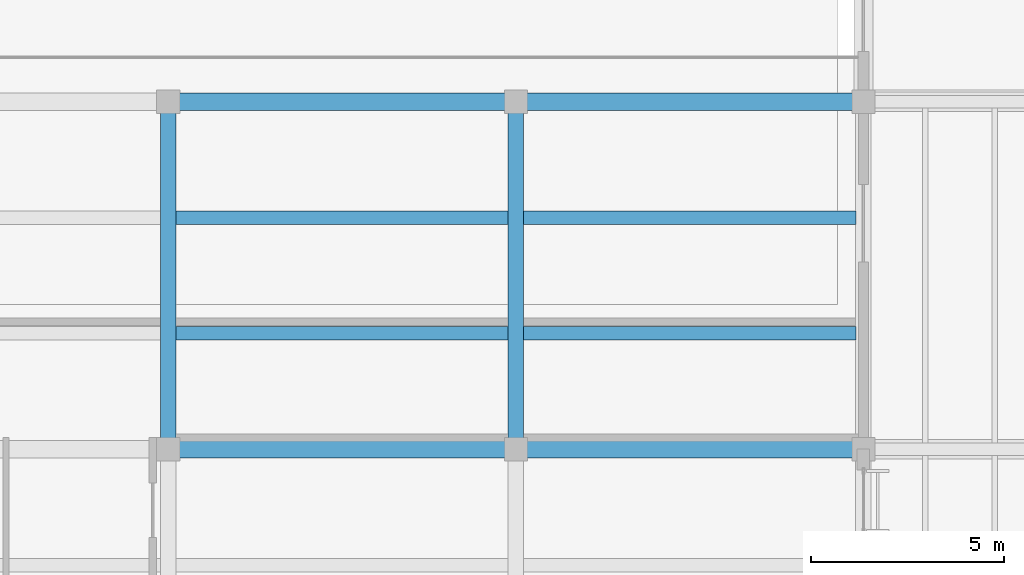
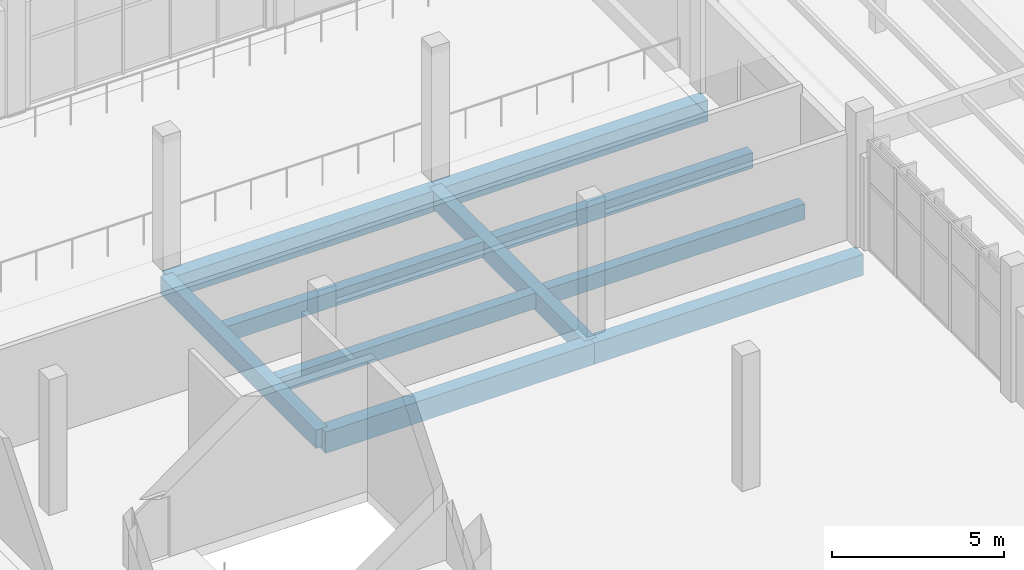
# One storey, part 89 of 151: 10 beams.
"""IFC4 building model written with IfcOpenShell, lengths in metres."""

from ifc_helpers import new_model, si_unit, direction, frame, origin, origin_2d, place, context, subcontext, project, spatial, rectangle, extrude, material, material_profile, profile_set, type_object, element, save


model = new_model("IFC4")

# Units and contexts
model_context = context("Model", 3, precision=1e-05, world=origin(), true_north=direction((0.0, 1.0)))
body_context = subcontext(model_context, "Body", "Model", "MODEL_VIEW")
ifc_project = project(units=[si_unit("LENGTHUNIT", "METRE"), si_unit("AREAUNIT", "SQUARE_METRE"), si_unit("VOLUMEUNIT", "CUBIC_METRE"), si_unit("PLANEANGLEUNIT", "RADIAN"), si_unit("MASSUNIT", "GRAM", prefix="KILO")], contexts=[model_context])

# Site, building, storey
site_placement = place(None, origin())
site = spatial("IfcSite", under=ifc_project, at=site_placement, CompositionType="ELEMENT")
building_placement = place(site_placement, origin())
building = spatial("IfcBuilding", under=site, at=building_placement, Name="Chiffa Square Polytechnic", CompositionType="ELEMENT")
storey_placement = place(building_placement, origin())
storey = spatial("IfcBuildingStorey", under=building, at=storey_placement, Name="L00", CompositionType="ELEMENT", Elevation=0.0)

# Beams
ifc_material = material(Name="Concrete C35/45", Category="concrete")
ifc_material_profile_1 = material_profile(ifc_material, rectangle(XDim=0.39990234375, YDim=0.64990234375, at=origin_2d()), Name="RC 400x650")
ifc_profile_set_1 = profile_set([ifc_material_profile_1], Name="Concrete C35/45")
beam_type_1 = type_object("IfcBeamType", Name="BM-RC-400X650", PredefinedType="BEAM", material=ifc_profile_set_1)
for number, where, z_axis, x_axis, name in (
    (1, (130.199951171875, 112.800048828125, -0.675048828125), (0.0, 1.0, 0.0), (-1.0, 0.0, 0.0), "Primary floor girder BM-V5-L00-Y-1302-1128"),
    (2, (139.199951171875, 112.800048828125, -0.675048828125), (0.0, 1.0, 0.0), (-1.0, 0.0, 0.0), "Primary floor girder BM-V5-L00-Y-1392-1128"),
):
    element("IfcBeam", number, at=place(storey_placement, frame(where, z_axis=z_axis, x_axis=x_axis)), inside=storey, type_object=beam_type_1, Name=name, PredefinedType="BEAM", context=body_context, shape_type="SweptSolid", body=[
        extrude(rectangle(XDim=0.39990234375, YDim=0.64990234375, at=origin_2d()), origin(), (0.0, 0.0, 1.0), 9.0),
    ])
ifc_material_profile_2 = material_profile(ifc_material, rectangle(XDim=0.449951171875, YDim=0.75, at=origin_2d()), Name="RC 450x750")
ifc_profile_set_2 = profile_set([ifc_material_profile_2], Name="Concrete C35/45")
beam_type_2 = type_object("IfcBeamType", Name="BM-RC-450X750", PredefinedType="BEAM", material=ifc_profile_set_2)
for number, where, z_axis, x_axis, name in (
    (3, (130.199951171875, 112.800048828125, -0.72509765625), (1.0, 0.0, 0.0), (0.0, 1.0, 0.0), "Primary floor girder BM-V5-L00-X-1302-1128"),
    (4, (139.199951171875, 112.800048828125, -0.72509765625), (1.0, 0.0, 0.0), (0.0, 1.0, 0.0), "Primary floor girder BM-V5-L00-X-1392-1128"),
    (5, (130.199951171875, 121.800048828125, -0.72509765625), (1.0, 0.0, 0.0), (0.0, 1.0, 0.0), "Primary floor girder BM-V5-L00-X-1302-1218"),
    (6, (139.199951171875, 121.800048828125, -0.72509765625), (1.0, 0.0, 0.0), (0.0, 1.0, 0.0), "Primary floor girder BM-V5-L00-X-1392-1218"),
):
    element("IfcBeam", number, at=place(storey_placement, frame(where, z_axis=z_axis, x_axis=x_axis)), inside=storey, type_object=beam_type_2, Name=name, PredefinedType="BEAM", context=body_context, shape_type="SweptSolid", body=[
        extrude(rectangle(XDim=0.449951171875, YDim=0.75, at=origin_2d()), origin(), (0.0, 0.0, 1.0), 9.0),
    ])
ifc_material_profile_3 = material_profile(ifc_material, rectangle(XDim=0.35009765625, YDim=0.550048828125, at=origin_2d()), Name="RC 350x550")
ifc_profile_set_3 = profile_set([ifc_material_profile_3], Name="Concrete C35/45")
beam_type_3 = type_object("IfcBeamType", Name="JST-RC-350X550", PredefinedType="JOIST", material=ifc_profile_set_3)
for number, where, z_axis, x_axis, name in (
    (7, (130.39794921875, 115.800048828125, -0.625), (1.0, 0.0, 0.0), (0.0, 1.0, 0.0), "Secondary floor joist JST-V5-L00-1302-1158"),
    (8, (130.39794921875, 118.800048828125, -0.625), (1.0, 0.0, 0.0), (0.0, 1.0, 0.0), "Secondary floor joist JST-V5-L00-1302-1188"),
    (9, (139.39794921875, 115.800048828125, -0.625), (1.0, 0.0, 0.0), (0.0, 1.0, 0.0), "Secondary floor joist JST-V5-L00-1392-1158"),
    (10, (139.39794921875, 118.800048828125, -0.625), (1.0, 0.0, 0.0), (0.0, 1.0, 0.0), "Secondary floor joist JST-V5-L00-1392-1188"),
):
    element("IfcBeam", number, at=place(storey_placement, frame(where, z_axis=z_axis, x_axis=x_axis)), inside=storey, type_object=beam_type_3, Name=name, PredefinedType="JOIST", context=body_context, shape_type="SweptSolid", body=[
        extrude(rectangle(XDim=0.35009765625, YDim=0.550048828125, at=origin_2d()), origin(), (0.0, 0.0, 1.0), 8.60400390625),
    ])

save(model, "model.ifc")
